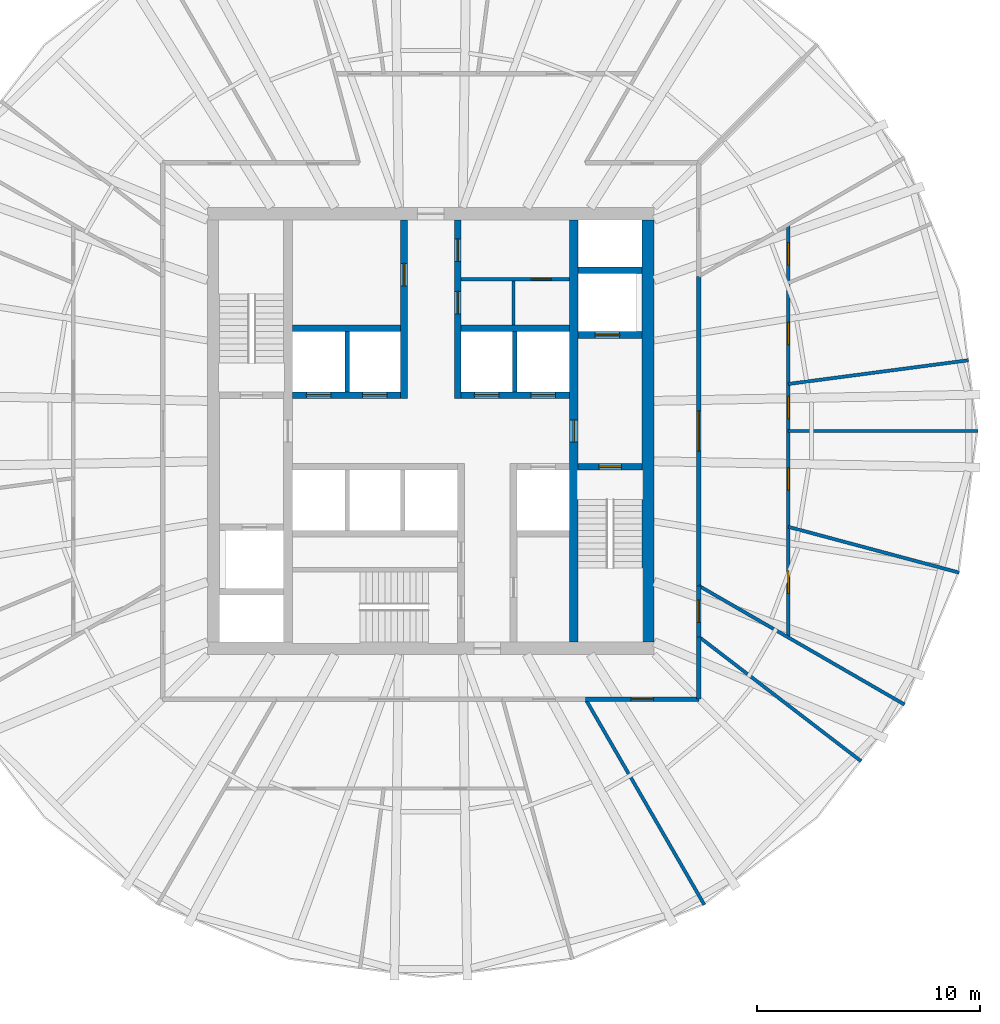
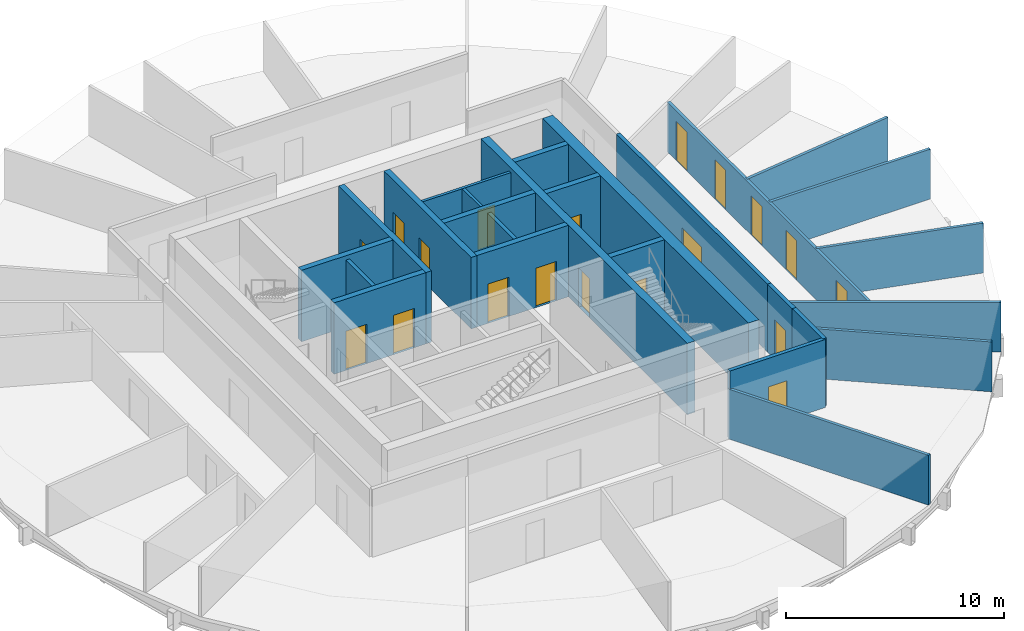
# One storey, part 4 of 6: 26 walls, 19 doors, 19 openings.
"""IFC4 building model written with IfcOpenShell, lengths in metres."""

from ifc_helpers import new_model, si_unit, direction, frame, frame_2d, origin, place, context, subcontext, project, spatial, rectangle, extrude, material, layer, layer_set, type_object, element, fill, save


model = new_model("IFC4")

# Units and contexts
model_context = context("Model", 3, precision=1e-05, world=origin(), true_north=direction((0.0, 1.0)))
body_context = subcontext(model_context, "Body", "Model", "MODEL_VIEW")
ifc_project = project(units=[si_unit("LENGTHUNIT", "METRE"), si_unit("AREAUNIT", "SQUARE_METRE"), si_unit("VOLUMEUNIT", "CUBIC_METRE"), si_unit("PLANEANGLEUNIT", "RADIAN"), si_unit("MASSUNIT", "GRAM", prefix="KILO")], contexts=[model_context])

# Site, building, storey
site_placement = place(None, origin())
site = spatial("IfcSite", under=ifc_project, at=site_placement, CompositionType="ELEMENT")
building_placement = place(site_placement, origin())
building = spatial("IfcBuilding", under=site, at=building_placement, Name="Golbaran Civic Tower", CompositionType="ELEMENT")
storey_placement = place(building_placement, frame((0.0, 0.0, 114.0)))
storey = spatial("IfcBuildingStorey", under=building, at=storey_placement, Name="L27", CompositionType="ELEMENT", Elevation=114.0)

# Wall, opening, door
ifc_material_1 = material(Name="Concrete block", Category="concrete")
ifc_layer_1 = layer(ifc_material_1, 0.14990234375, Name="Concrete block")
ifc_layer_set_1 = layer_set([ifc_layer_1], Name="Concrete block")
wall_type_1 = type_object("IfcWallType", Name="BLOCKWORK PARTITION 150", PredefinedType="PARTITIONING", material=ifc_layer_set_1)
wall_1_placement = place(storey_placement, frame((1.35009765625, 6.800048828125, 0.0), z_axis=(0.0, 0.0, 1.0), x_axis=(1.0, 0.0, 0.0)))
wall_1 = element("IfcWall", 1, at=wall_1_placement, inside=storey, type_object=wall_type_1, Name="Toilet block partition TN1 L27", PredefinedType="PARTITIONING", context=body_context, shape_type="SweptSolid", body=[
    extrude(rectangle(XDim=4.849853515625, YDim=0.14990234375, at=frame_2d((2.4248046875, 0.0))), origin(), (0.0, 0.0, 1.0), 3.75),
])
opening_1_placement = place(wall_1_placement, frame((3.14990234375, 0.0, 0.0)))
opening_1 = element("IfcOpeningElement", 2, at=opening_1_placement, cuts=wall_1, Name="Opening L27.CLN", PredefinedType="OPENING", context=body_context, shape_type="SweptSolid", body=[
    extrude(rectangle(XDim=0.89990234375, YDim=2.199951171875, at=frame_2d((0.449951171875, 1.10009765625))), frame((0.0, 0.0849609375, 0.0), z_axis=(0.0, -1.0, 0.0), x_axis=(1.0, 0.0, 0.0)), (0.0, 0.0, 1.0), 0.169921875),
])
ifc_material_2 = material(Name="Timber door set in steel frame", Category="steel")
door_type_1 = type_object("IfcDoorType", Name="RISER DOOR 900x2200", OperationType="SINGLE_SWING_LEFT", PredefinedType="DOOR", material=ifc_material_2)
door_1_placement = place(opening_1_placement, origin())
door_1 = element("IfcDoor", 3, at=door_1_placement, inside=storey, type_object=door_type_1, Name="Cleaner's Store door", OperationType="SINGLE_SWING_RIGHT", OverallHeight=2.199951171875, OverallWidth=0.89990234375, PredefinedType="DOOR", context=body_context, shape_type="SweptSolid", body=[
    extrude(rectangle(XDim=0.89990234375, YDim=2.199951171875, at=frame_2d((0.449951171875, 1.10009765625))), frame((0.0, 0.02490234375, 0.0), z_axis=(0.0, -1.0, 0.0), x_axis=(1.0, 0.0, 0.0)), (0.0, 0.0, 1.0), 0.050048828125),
])
fill(opening_1, door_1)

# Wall
wall_2_placement = place(storey_placement, frame((3.699951171875, 4.75, 0.0), z_axis=(0.0, 0.0, 1.0), x_axis=(0.0, 1.0, 0.0)))
element("IfcWall", 4, at=wall_2_placement, inside=storey, type_object=wall_type_1, Name="Toilet block partition TN2 L27", PredefinedType="PARTITIONING", context=body_context, shape_type="SweptSolid", body=[
    extrude(rectangle(XDim=1.97509765625, YDim=0.14990234375, at=frame_2d((0.987548828125, 0.0))), origin(), (0.0, 0.0, 1.0), 3.75),
])

# Wall, opening, door
ifc_material_3 = material(Name="Concrete C50/60", Category="concrete")
ifc_layer_2 = layer(ifc_material_3, 0.39990234375, Name="Concrete C50/60")
ifc_layer_set_2 = layer_set([ifc_layer_2], Name="Concrete C50/60")
wall_type_2 = type_object("IfcWallType", Name="CORE WALL CONCRETE 400", PredefinedType="SOLIDWALL", material=ifc_layer_set_2)
wall_3_placement = place(storey_placement, frame((6.39990234375, 9.449951171875, 0.0), z_axis=(0.0, 0.0, 1.0), x_axis=(0.0, -1.0, 0.0)))
wall_3 = element("IfcWall", 5, at=wall_3_placement, inside=storey, type_object=wall_type_2, Name="Core wall IE L27", PredefinedType="SOLIDWALL", context=body_context, shape_type="SweptSolid", body=[
    extrude(rectangle(XDim=18.89990234375, YDim=0.39990234375, at=frame_2d((9.449951171875, 0.0))), origin(), (0.0, 0.0, 1.0), 4.0),
])
opening_2_placement = place(wall_3_placement, frame((8.949951171875, 0.0, 0.0)))
opening_2 = element("IfcOpeningElement", 6, at=opening_2_placement, cuts=wall_3, Name="Opening L27.FL2", PredefinedType="OPENING", context=body_context, shape_type="SweptSolid", body=[
    extrude(rectangle(XDim=1.0, YDim=2.199951171875, at=frame_2d((0.5, 1.10009765625))), frame((0.0, 0.2099609375, 0.0), z_axis=(0.0, -1.0, 0.0), x_axis=(1.0, 0.0, 0.0)), (0.0, 0.0, 1.0), 0.419921875),
])
door_type_2 = type_object("IfcDoorType", Name="STAIR DOOR 1000x2200", OperationType="SINGLE_SWING_LEFT", PredefinedType="DOOR", material=ifc_material_2)
door_2_placement = place(opening_2_placement, origin())
door_2 = element("IfcDoor", 7, at=door_2_placement, inside=storey, type_object=door_type_2, Name="Fire-fighting lobby FL2 door", OperationType="SINGLE_SWING_RIGHT", OverallHeight=2.199951171875, OverallWidth=1.0, PredefinedType="DOOR", context=body_context, shape_type="SweptSolid", body=[
    extrude(rectangle(XDim=1.0, YDim=2.199951171875, at=frame_2d((0.5, 1.10009765625))), frame((0.0, 0.02490234375, 0.0), z_axis=(0.0, -1.0, 0.0), x_axis=(1.0, 0.0, 0.0)), (0.0, 0.0, 1.0), 0.050048828125),
])
fill(opening_2, door_2)

# Wall
ifc_layer_3 = layer(ifc_material_3, 0.550048828125, Name="Concrete C50/60")
ifc_layer_set_3 = layer_set([ifc_layer_3], Name="Concrete C50/60")
wall_type_3 = type_object("IfcWallType", Name="CORE WALL CONCRETE 550", PredefinedType="SOLIDWALL", material=ifc_layer_set_3)
wall_4_placement = place(storey_placement, frame((9.72509765625, -9.449951171875, 0.0), z_axis=(0.0, 0.0, 1.0), x_axis=(0.0, 1.0, 0.0)))
element("IfcWall", 8, at=wall_4_placement, inside=storey, type_object=wall_type_3, Name="Core wall CE L27", PredefinedType="SOLIDWALL", context=body_context, shape_type="SweptSolid", body=[
    extrude(rectangle(XDim=18.89990234375, YDim=0.550048828125, at=frame_2d((9.449951171875, 0.0))), origin(), (0.0, 0.0, 1.0), 4.0),
])

# Wall, opening, door
ifc_material_4 = material(Name="Gypsum board on steel studs, fire-rated", Category="steel")
ifc_layer_4 = layer(ifc_material_4, 0.199951171875, Name="Gypsum board on steel studs, fire-rated")
ifc_layer_set_4 = layer_set([ifc_layer_4], Name="Gypsum board on steel studs, fire-rated")
wall_type_4 = type_object("IfcWallType", Name="CORRIDOR WALL 200", PredefinedType="PARTITIONING", material=ifc_layer_set_4)
wall_5_placement = place(storey_placement, frame((12.0, -6.92822265625, 0.0), z_axis=(0.0, 0.0, 1.0), x_axis=(0.0, 1.0, 0.0)))
wall_5 = element("IfcWall", 9, at=wall_5_placement, inside=storey, type_object=wall_type_4, Name="Corridor wall L27", PredefinedType="PARTITIONING", context=body_context, shape_type="SweptSolid", body=[
    extrude(rectangle(XDim=13.8564453125, YDim=0.199951171875, at=frame_2d((6.92822265625, 0.0))), origin(), (0.0, 0.0, 1.0), 3.800048828125),
])
opening_3_placement = place(wall_5_placement, frame((6.0283203125, 0.0, 0.0)))
opening_3 = element("IfcOpeningElement", 10, at=opening_3_placement, cuts=wall_5, Name="Opening L27.15", PredefinedType="OPENING", context=body_context, shape_type="SweptSolid", body=[
    extrude(rectangle(XDim=1.800048828125, YDim=2.199951171875, at=frame_2d((0.89990234375, 1.10009765625))), frame((0.0, 0.10986328125, 0.0), z_axis=(0.0, -1.0, 0.0), x_axis=(1.0, 0.0, 0.0)), (0.0, 0.0, 1.0), 0.219970703125),
])
door_type_3 = type_object("IfcDoorType", Name="OFFICE DOUBLE DOOR 1800x2200", OperationType="DOUBLE_DOOR_SINGLE_SWING", PredefinedType="DOOR", material=ifc_material_2)
door_3_placement = place(opening_3_placement, origin())
door_3 = element("IfcDoor", 11, at=door_3_placement, inside=storey, type_object=door_type_3, Name="Secretariat door L27", OperationType="DOUBLE_DOOR_SINGLE_SWING", OverallHeight=2.199951171875, OverallWidth=1.800048828125, PredefinedType="DOOR", context=body_context, shape_type="SweptSolid", body=[
    extrude(rectangle(XDim=1.800048828125, YDim=2.199951171875, at=frame_2d((0.89990234375, 1.10009765625))), frame((0.0, 0.02490234375, 0.0), z_axis=(0.0, -1.0, 0.0), x_axis=(1.0, 0.0, 0.0)), (0.0, 0.0, 1.0), 0.050048828125),
])
fill(opening_3, door_3)

wall_6_placement = place(storey_placement, frame((6.92822265625, -12.0, 0.0), z_axis=(0.0, 0.0, 1.0), x_axis=(1.0, 0.0, 0.0)))
wall_6 = element("IfcWall", 12, at=wall_6_placement, inside=storey, type_object=wall_type_4, Name="Corridor wall L27", PredefinedType="PARTITIONING", context=body_context, shape_type="SweptSolid", body=[
    extrude(rectangle(XDim=5.07177734375, YDim=0.199951171875, at=frame_2d((2.535888671875, 0.0))), origin(), (0.0, 0.0, 1.0), 3.800048828125),
])
opening_4_placement = place(wall_6_placement, frame((2.035888671875, 0.0, 0.0)))
opening_4 = element("IfcOpeningElement", 13, at=opening_4_placement, cuts=wall_6, Name="Opening L27.25", PredefinedType="OPENING", context=body_context, shape_type="SweptSolid", body=[
    extrude(rectangle(XDim=1.0, YDim=2.199951171875, at=frame_2d((0.5, 1.10009765625))), frame((0.0, 0.10986328125, 0.0), z_axis=(0.0, -1.0, 0.0), x_axis=(1.0, 0.0, 0.0)), (0.0, 0.0, 1.0), 0.219970703125),
])
door_type_4 = type_object("IfcDoorType", Name="OFFICE DOOR 1000x2200", OperationType="SINGLE_SWING_LEFT", PredefinedType="DOOR", material=ifc_material_2)
door_4_placement = place(opening_4_placement, origin())
door_4 = element("IfcDoor", 14, at=door_4_placement, inside=storey, type_object=door_type_4, Name="Meeting Room door L27", OperationType="SINGLE_SWING_LEFT", OverallHeight=2.199951171875, OverallWidth=1.0, PredefinedType="DOOR", context=body_context, shape_type="SweptSolid", body=[
    extrude(rectangle(XDim=1.0, YDim=2.199951171875, at=frame_2d((0.5, 1.10009765625))), frame((0.0, 0.02490234375, 0.0), z_axis=(0.0, -1.0, 0.0), x_axis=(1.0, 0.0, 0.0)), (0.0, 0.0, 1.0), 0.050048828125),
])
fill(opening_4, door_4)

# Wall
wall_7_placement = place(storey_placement, frame((12.0, -12.0, 0.0), z_axis=(0.0, 0.0, 1.0), x_axis=(0.0, 1.0, 0.0)))
element("IfcWall", 15, at=wall_7_placement, inside=storey, type_object=wall_type_4, Name="Corridor wall L27", PredefinedType="PARTITIONING", context=body_context, shape_type="SweptSolid", body=[
    extrude(rectangle(XDim=2.7919921875, YDim=0.199951171875, at=frame_2d((1.39599609375, 0.0))), origin(), (0.0, 0.0, 1.0), 3.800048828125),
])

# Wall, opening, door
wall_8_placement = place(storey_placement, frame((12.0, -9.2080078125, 0.0), z_axis=(0.0, 0.0, 1.0), x_axis=(0.0, 1.0, 0.0)))
wall_8 = element("IfcWall", 16, at=wall_8_placement, inside=storey, type_object=wall_type_4, Name="Corridor wall L27", PredefinedType="PARTITIONING", context=body_context, shape_type="SweptSolid", body=[
    extrude(rectangle(XDim=2.27978515625, YDim=0.199951171875, at=frame_2d((1.139892578125, 0.0))), origin(), (0.0, 0.0, 1.0), 3.800048828125),
])
opening_5_placement = place(wall_8_placement, frame((0.639892578125, 0.0, 0.0)))
opening_5 = element("IfcOpeningElement", 17, at=opening_5_placement, cuts=wall_8, Name="Opening L27.26", PredefinedType="OPENING", context=body_context, shape_type="SweptSolid", body=[
    extrude(rectangle(XDim=1.0, YDim=2.199951171875, at=frame_2d((0.5, 1.10009765625))), frame((0.0, 0.10986328125, 0.0), z_axis=(0.0, -1.0, 0.0), x_axis=(1.0, 0.0, 0.0)), (0.0, 0.0, 1.0), 0.219970703125),
])
door_5_placement = place(opening_5_placement, origin())
door_5 = element("IfcDoor", 18, at=door_5_placement, inside=storey, type_object=door_type_4, Name="Print and Copy Room door L27", OperationType="SINGLE_SWING_LEFT", OverallHeight=2.199951171875, OverallWidth=1.0, PredefinedType="DOOR", context=body_context, shape_type="SweptSolid", body=[
    extrude(rectangle(XDim=1.0, YDim=2.199951171875, at=frame_2d((0.5, 1.10009765625))), frame((0.0, 0.02490234375, 0.0), z_axis=(0.0, -1.0, 0.0), x_axis=(1.0, 0.0, 0.0)), (0.0, 0.0, 1.0), 0.050048828125),
])
fill(opening_5, door_5)

# Walls
ifc_layer_5 = layer(ifc_material_1, 0.199951171875, Name="Concrete block")
ifc_layer_set_5 = layer_set([ifc_layer_5], Name="Concrete block")
wall_type_5 = type_object("IfcWallType", Name="LIFT SEPARATOR WALL 200", PredefinedType="SOLIDWALL", material=ifc_layer_set_5)
for number, where, z_axis, x_axis, name in (
    (19, (-3.75, 1.75, 0.0), (0.0, 0.0, 1.0), (0.0, 1.0, 0.0), "Core partition SNW L27"),
    (20, (3.75, 1.75, 0.0), (0.0, 0.0, 1.0), (0.0, 1.0, 0.0), "Core partition SNE L27"),
):
    element("IfcWall", number, at=place(storey_placement, frame(where, z_axis=z_axis, x_axis=x_axis)), inside=storey, type_object=wall_type_5, Name=name, PredefinedType="SOLIDWALL", context=body_context, shape_type="SweptSolid", body=[
        extrude(rectangle(XDim=2.699951171875, YDim=0.199951171875, at=frame_2d((1.35009765625, 0.0))), origin(), (0.0, 0.0, 1.0), 3.75),
    ])
ifc_material_5 = material(Name="Gypsum board on steel studs", Category="steel")
ifc_layer_6 = layer(ifc_material_5, 0.14990234375, Name="Gypsum board on steel studs")
ifc_layer_set_6 = layer_set([ifc_layer_6], Name="Gypsum board on steel studs")
wall_type_6 = type_object("IfcWallType", Name="OFFICE PARTITION 150", PredefinedType="PARTITIONING", material=ifc_layer_set_6)
for number, where, z_axis, x_axis, name in (
    (21, (12.0, -6.92822265625, 0.0), (0.0, 0.0, 1.0), (0.866024197053, -0.500002090115, 0.0), "Partition 330 L27"),
    (22, (6.92822265625, -12.0, 0.0), (0.0, 0.0, 1.0), (0.500002090115, -0.866024197053, 0.0), "Partition 300 L27"),
):
    element("IfcWall", number, at=place(storey_placement, frame(where, z_axis=z_axis, x_axis=x_axis)), inside=storey, type_object=wall_type_6, Name=name, PredefinedType="PARTITIONING", context=body_context, shape_type="SweptSolid", body=[
        extrude(rectangle(XDim=10.630859375, YDim=0.14990234375, at=frame_2d((5.3154296875, 0.0))), origin(), (0.0, 0.0, 1.0), 2.7900390625),
    ])
wall_9_placement = place(storey_placement, frame((12.0, -9.2080078125, 0.0), z_axis=(0.0, 0.0, 1.0), x_axis=(0.793357264949, -0.608756314261, 0.0)))
element("IfcWall", 23, at=wall_9_placement, inside=storey, type_object=wall_type_6, Name="Partition 322.5 L27", PredefinedType="PARTITIONING", context=body_context, shape_type="SweptSolid", body=[
    extrude(rectangle(XDim=9.15185546875, YDim=0.14990234375, at=frame_2d((4.575927734375, 0.0))), origin(), (0.0, 0.0, 1.0), 2.7900390625),
])

# Wall, openings, doors
wall_10_placement = place(storey_placement, frame((16.0, -9.237548828125, 0.0), z_axis=(0.0, 0.0, 1.0), x_axis=(0.0, 1.0, 0.0)))
wall_10 = element("IfcWall", 24, at=wall_10_placement, inside=storey, type_object=wall_type_6, Name="Suite partition L27", PredefinedType="PARTITIONING", context=body_context, shape_type="SweptSolid", body=[
    extrude(rectangle(XDim=18.47509765625, YDim=0.14990234375, at=frame_2d((9.237548828125, 0.0))), origin(), (0.0, 0.0, 1.0), 2.7900390625),
])
opening_6_placement = place(wall_10_placement, frame((1.97509765625, 0.0, 0.0)))
opening_6 = element("IfcOpeningElement", 25, at=opening_6_placement, cuts=wall_10, Name="Opening L27.01", PredefinedType="OPENING", context=body_context, shape_type="SweptSolid", body=[
    extrude(rectangle(XDim=1.0, YDim=2.199951171875, at=frame_2d((0.5, 1.10009765625))), frame((0.0, 0.0849609375, 0.0), z_axis=(0.0, -1.0, 0.0), x_axis=(1.0, 0.0, 0.0)), (0.0, 0.0, 1.0), 0.169921875),
])
opening_7_placement = place(wall_10_placement, frame((6.593994140625, 0.0, 0.0)))
opening_7 = element("IfcOpeningElement", 26, at=opening_7_placement, cuts=wall_10, Name="Opening L27.02", PredefinedType="OPENING", context=body_context, shape_type="SweptSolid", body=[
    extrude(rectangle(XDim=1.0, YDim=2.199951171875, at=frame_2d((0.5, 1.10009765625))), frame((0.0, 0.0849609375, 0.0), z_axis=(0.0, -1.0, 0.0), x_axis=(1.0, 0.0, 0.0)), (0.0, 0.0, 1.0), 0.169921875),
])
opening_8_placement = place(wall_10_placement, frame((9.790771484375, 0.0, 0.0)))
opening_8 = element("IfcOpeningElement", 27, at=opening_8_placement, cuts=wall_10, Name="Opening L27.03", PredefinedType="OPENING", context=body_context, shape_type="SweptSolid", body=[
    extrude(rectangle(XDim=1.0, YDim=2.199951171875, at=frame_2d((0.5, 1.10009765625))), frame((0.0, 0.0849609375, 0.0), z_axis=(0.0, -1.0, 0.0), x_axis=(1.0, 0.0, 0.0)), (0.0, 0.0, 1.0), 0.169921875),
])
opening_9_placement = place(wall_10_placement, frame((13.1044921875, 0.0, 0.0)))
opening_9 = element("IfcOpeningElement", 28, at=opening_9_placement, cuts=wall_10, Name="Opening L27.04", PredefinedType="OPENING", context=body_context, shape_type="SweptSolid", body=[
    extrude(rectangle(XDim=1.0, YDim=2.199951171875, at=frame_2d((0.5, 1.10009765625))), frame((0.0, 0.0849609375, 0.0), z_axis=(0.0, -1.0, 0.0), x_axis=(1.0, 0.0, 0.0)), (0.0, 0.0, 1.0), 0.169921875),
])
opening_10_placement = place(wall_10_placement, frame((16.670166015625, 0.0, 0.0)))
opening_10 = element("IfcOpeningElement", 29, at=opening_10_placement, cuts=wall_10, Name="Opening L27.05", PredefinedType="OPENING", context=body_context, shape_type="SweptSolid", body=[
    extrude(rectangle(XDim=1.0, YDim=2.199951171875, at=frame_2d((0.5, 1.10009765625))), frame((0.0, 0.0849609375, 0.0), z_axis=(0.0, -1.0, 0.0), x_axis=(1.0, 0.0, 0.0)), (0.0, 0.0, 1.0), 0.169921875),
])
door_6_placement = place(opening_6_placement, origin())
door_6 = element("IfcDoor", 30, at=door_6_placement, inside=storey, type_object=door_type_4, Name="Director's Office door L27", OperationType="SINGLE_SWING_LEFT", OverallHeight=2.199951171875, OverallWidth=1.0, PredefinedType="DOOR", context=body_context, shape_type="SweptSolid", body=[
    extrude(rectangle(XDim=1.0, YDim=2.199951171875, at=frame_2d((0.5, 1.10009765625))), frame((0.0, 0.02490234375, 0.0), z_axis=(0.0, -1.0, 0.0), x_axis=(1.0, 0.0, 0.0)), (0.0, 0.0, 1.0), 0.050048828125),
])
fill(opening_6, door_6)
door_7_placement = place(opening_7_placement, origin())
door_7 = element("IfcDoor", 31, at=door_7_placement, inside=storey, type_object=door_type_4, Name="Office door L27", OperationType="SINGLE_SWING_LEFT", OverallHeight=2.199951171875, OverallWidth=1.0, PredefinedType="DOOR", context=body_context, shape_type="SweptSolid", body=[
    extrude(rectangle(XDim=1.0, YDim=2.199951171875, at=frame_2d((0.5, 1.10009765625))), frame((0.0, 0.02490234375, 0.0), z_axis=(0.0, -1.0, 0.0), x_axis=(1.0, 0.0, 0.0)), (0.0, 0.0, 1.0), 0.050048828125),
])
fill(opening_7, door_7)
door_8_placement = place(opening_8_placement, origin())
door_8 = element("IfcDoor", 32, at=door_8_placement, inside=storey, type_object=door_type_4, Name="Director's Office door L27", OperationType="SINGLE_SWING_RIGHT", OverallHeight=2.199951171875, OverallWidth=1.0, PredefinedType="DOOR", context=body_context, shape_type="SweptSolid", body=[
    extrude(rectangle(XDim=1.0, YDim=2.199951171875, at=frame_2d((0.5, 1.10009765625))), frame((0.0, 0.02490234375, 0.0), z_axis=(0.0, -1.0, 0.0), x_axis=(1.0, 0.0, 0.0)), (0.0, 0.0, 1.0), 0.050048828125),
])
fill(opening_8, door_8)
door_9_placement = place(opening_9_placement, origin())
door_9 = element("IfcDoor", 33, at=door_9_placement, inside=storey, type_object=door_type_4, Name="Director's Office door L27", OperationType="SINGLE_SWING_RIGHT", OverallHeight=2.199951171875, OverallWidth=1.0, PredefinedType="DOOR", context=body_context, shape_type="SweptSolid", body=[
    extrude(rectangle(XDim=1.0, YDim=2.199951171875, at=frame_2d((0.5, 1.10009765625))), frame((0.0, 0.02490234375, 0.0), z_axis=(0.0, -1.0, 0.0), x_axis=(1.0, 0.0, 0.0)), (0.0, 0.0, 1.0), 0.050048828125),
])
fill(opening_9, door_9)
door_10_placement = place(opening_10_placement, origin())
door_10 = element("IfcDoor", 34, at=door_10_placement, inside=storey, type_object=door_type_4, Name="Office door L27", OperationType="SINGLE_SWING_RIGHT", OverallHeight=2.199951171875, OverallWidth=1.0, PredefinedType="DOOR", context=body_context, shape_type="SweptSolid", body=[
    extrude(rectangle(XDim=1.0, YDim=2.199951171875, at=frame_2d((0.5, 1.10009765625))), frame((0.0, 0.02490234375, 0.0), z_axis=(0.0, -1.0, 0.0), x_axis=(1.0, 0.0, 0.0)), (0.0, 0.0, 1.0), 0.050048828125),
])
fill(opening_10, door_10)

# Walls
wall_11_placement = place(storey_placement, frame((16.0, -4.287109375, 0.0), z_axis=(0.0, 0.0, 1.0), x_axis=(0.965926869261, -0.258815152648, 0.0)))
element("IfcWall", 35, at=wall_11_placement, inside=storey, type_object=wall_type_6, Name="Partition 345 L27", PredefinedType="PARTITIONING", context=body_context, shape_type="SweptSolid", body=[
    extrude(rectangle(XDim=7.9228515625, YDim=0.14990234375, at=frame_2d((3.96142578125, 0.0))), origin(), (0.0, 0.0, 1.0), 2.7900390625),
])
wall_12_placement = place(storey_placement, frame((16.0, 0.0, 0.0), z_axis=(0.0, 0.0, 1.0), x_axis=(1.0, 0.0, 0.0)))
element("IfcWall", 36, at=wall_12_placement, inside=storey, type_object=wall_type_6, Name="Partition 0 L27", PredefinedType="PARTITIONING", context=body_context, shape_type="SweptSolid", body=[
    extrude(rectangle(XDim=8.4873046875, YDim=0.14990234375, at=frame_2d((4.24365234375, 0.0))), origin(), (0.0, 0.0, 1.0), 2.7900390625),
])
wall_13_placement = place(storey_placement, frame((16.0, 2.1064453125, 0.0), z_axis=(0.0, 0.0, 1.0), x_axis=(0.99144398145, 0.13053287573, 0.0)))
element("IfcWall", 37, at=wall_13_placement, inside=storey, type_object=wall_type_6, Name="Partition 7.5 L27", PredefinedType="PARTITIONING", context=body_context, shape_type="SweptSolid", body=[
    extrude(rectangle(XDim=8.1396484375, YDim=0.14990234375, at=frame_2d((4.06982421875, 0.0))), origin(), (0.0, 0.0, 1.0), 2.7900390625),
])

# Wall, openings, doors
ifc_layer_7 = layer(ifc_material_3, 0.300048828125, Name="Concrete C50/60")
ifc_layer_set_7 = layer_set([ifc_layer_7], Name="Concrete C50/60")
wall_type_7 = type_object("IfcWallType", Name="SHAFT WALL CONCRETE 300", PredefinedType="SOLIDWALL", material=ifc_layer_set_7)
wall_14_placement = place(storey_placement, frame((-6.199951171875, 1.60009765625, 0.0), z_axis=(0.0, 0.0, 1.0), x_axis=(1.0, 0.0, 0.0)))
wall_14 = element("IfcWall", 38, at=wall_14_placement, inside=storey, type_object=wall_type_7, Name="Core wall FNW L27", PredefinedType="SOLIDWALL", context=body_context, shape_type="SweptSolid", body=[
    extrude(rectangle(XDim=4.849853515625, YDim=0.300048828125, at=frame_2d((2.4248046875, 0.0))), origin(), (0.0, 0.0, 1.0), 4.0),
])
opening_11_placement = place(wall_14_placement, frame((0.625, 0.0, 0.0)))
opening_11 = element("IfcOpeningElement", 39, at=opening_11_placement, cuts=wall_14, Name="Opening L27.LD-Z1M", PredefinedType="OPENING", context=body_context, shape_type="SweptSolid", body=[
    extrude(rectangle(XDim=1.10009765625, YDim=2.199951171875, at=frame_2d((0.550048828125, 1.10009765625))), frame((0.0, 0.159912109375, 0.0), z_axis=(0.0, -1.0, 0.0), x_axis=(1.0, 0.0, 0.0)), (0.0, 0.0, 1.0), 0.320068359375),
])
opening_12_placement = place(wall_14_placement, frame((3.14990234375, 0.0, 0.0)))
opening_12 = element("IfcOpeningElement", 40, at=opening_12_placement, cuts=wall_14, Name="Opening L27.LD-Z2M", PredefinedType="OPENING", context=body_context, shape_type="SweptSolid", body=[
    extrude(rectangle(XDim=1.10009765625, YDim=2.199951171875, at=frame_2d((0.550048828125, 1.10009765625))), frame((0.0, 0.159912109375, 0.0), z_axis=(0.0, -1.0, 0.0), x_axis=(1.0, 0.0, 0.0)), (0.0, 0.0, 1.0), 0.320068359375),
])
ifc_material_6 = material(Name="Stainless steel", Category="steel")
door_type_5 = type_object("IfcDoorType", Name="LIFT LANDING DOOR 1100x2200", OperationType="SLIDING_TO_LEFT", PredefinedType="DOOR", material=ifc_material_6)
door_11_placement = place(opening_11_placement, origin())
door_11 = element("IfcDoor", 41, at=door_11_placement, inside=storey, type_object=door_type_5, Name="Lift landing door Z1M", OperationType="SLIDING_TO_LEFT", OverallHeight=2.199951171875, OverallWidth=1.10009765625, PredefinedType="DOOR", context=body_context, shape_type="SweptSolid", body=[
    extrude(rectangle(XDim=1.10009765625, YDim=2.199951171875, at=frame_2d((0.550048828125, 1.10009765625))), frame((0.0, 0.02490234375, 0.0), z_axis=(0.0, -1.0, 0.0), x_axis=(1.0, 0.0, 0.0)), (0.0, 0.0, 1.0), 0.050048828125),
])
fill(opening_11, door_11)
door_12_placement = place(opening_12_placement, origin())
door_12 = element("IfcDoor", 42, at=door_12_placement, inside=storey, type_object=door_type_5, Name="Lift landing door Z2M", OperationType="SLIDING_TO_LEFT", OverallHeight=2.199951171875, OverallWidth=1.10009765625, PredefinedType="DOOR", context=body_context, shape_type="SweptSolid", body=[
    extrude(rectangle(XDim=1.10009765625, YDim=2.199951171875, at=frame_2d((0.550048828125, 1.10009765625))), frame((0.0, 0.02490234375, 0.0), z_axis=(0.0, -1.0, 0.0), x_axis=(1.0, 0.0, 0.0)), (0.0, 0.0, 1.0), 0.050048828125),
])
fill(opening_12, door_12)

wall_15_placement = place(storey_placement, frame((1.35009765625, 1.60009765625, 0.0), z_axis=(0.0, 0.0, 1.0), x_axis=(1.0, 0.0, 0.0)))
wall_15 = element("IfcWall", 43, at=wall_15_placement, inside=storey, type_object=wall_type_7, Name="Core wall FNE L27", PredefinedType="SOLIDWALL", context=body_context, shape_type="SweptSolid", body=[
    extrude(rectangle(XDim=4.849853515625, YDim=0.300048828125, at=frame_2d((2.4248046875, 0.0))), origin(), (0.0, 0.0, 1.0), 4.0),
])
opening_13_placement = place(wall_15_placement, frame((0.60009765625, 0.0, 0.0)))
opening_13 = element("IfcOpeningElement", 44, at=opening_13_placement, cuts=wall_15, Name="Opening L27.LD-Z3M", PredefinedType="OPENING", context=body_context, shape_type="SweptSolid", body=[
    extrude(rectangle(XDim=1.10009765625, YDim=2.199951171875, at=frame_2d((0.550048828125, 1.10009765625))), frame((0.0, 0.159912109375, 0.0), z_axis=(0.0, -1.0, 0.0), x_axis=(1.0, 0.0, 0.0)), (0.0, 0.0, 1.0), 0.320068359375),
])
opening_14_placement = place(wall_15_placement, frame((3.125, 0.0, 0.0)))
opening_14 = element("IfcOpeningElement", 45, at=opening_14_placement, cuts=wall_15, Name="Opening L27.LD-Z4M", PredefinedType="OPENING", context=body_context, shape_type="SweptSolid", body=[
    extrude(rectangle(XDim=1.10009765625, YDim=2.199951171875, at=frame_2d((0.550048828125, 1.10009765625))), frame((0.0, 0.159912109375, 0.0), z_axis=(0.0, -1.0, 0.0), x_axis=(1.0, 0.0, 0.0)), (0.0, 0.0, 1.0), 0.320068359375),
])
door_13_placement = place(opening_13_placement, origin())
door_13 = element("IfcDoor", 46, at=door_13_placement, inside=storey, type_object=door_type_5, Name="Lift landing door Z3M", OperationType="SLIDING_TO_LEFT", OverallHeight=2.199951171875, OverallWidth=1.10009765625, PredefinedType="DOOR", context=body_context, shape_type="SweptSolid", body=[
    extrude(rectangle(XDim=1.10009765625, YDim=2.199951171875, at=frame_2d((0.550048828125, 1.10009765625))), frame((0.0, 0.02490234375, 0.0), z_axis=(0.0, -1.0, 0.0), x_axis=(1.0, 0.0, 0.0)), (0.0, 0.0, 1.0), 0.050048828125),
])
fill(opening_13, door_13)
door_14_placement = place(opening_14_placement, origin())
door_14 = element("IfcDoor", 47, at=door_14_placement, inside=storey, type_object=door_type_5, Name="Lift landing door Z4M", OperationType="SLIDING_TO_LEFT", OverallHeight=2.199951171875, OverallWidth=1.10009765625, PredefinedType="DOOR", context=body_context, shape_type="SweptSolid", body=[
    extrude(rectangle(XDim=1.10009765625, YDim=2.199951171875, at=frame_2d((0.550048828125, 1.10009765625))), frame((0.0, 0.02490234375, 0.0), z_axis=(0.0, -1.0, 0.0), x_axis=(1.0, 0.0, 0.0)), (0.0, 0.0, 1.0), 0.050048828125),
])
fill(opening_14, door_14)

# Walls
for number, where, z_axis, x_axis, name in (
    (48, (-6.199951171875, 4.60009765625, 0.0), (0.0, 0.0, 1.0), (1.0, 0.0, 0.0), "Core wall BNW L27"),
    (49, (1.35009765625, 4.60009765625, 0.0), (0.0, 0.0, 1.0), (1.0, 0.0, 0.0), "Core wall BNE L27"),
):
    element("IfcWall", number, at=place(storey_placement, frame(where, z_axis=z_axis, x_axis=x_axis)), inside=storey, type_object=wall_type_7, Name=name, PredefinedType="SOLIDWALL", context=body_context, shape_type="SweptSolid", body=[
        extrude(rectangle(XDim=4.849853515625, YDim=0.300048828125, at=frame_2d((2.4248046875, 0.0))), origin(), (0.0, 0.0, 1.0), 4.0),
    ])

# Wall, opening, door
wall_16_placement = place(storey_placement, frame((-1.199951171875, 1.449951171875, 0.0), z_axis=(0.0, 0.0, 1.0), x_axis=(0.0, 1.0, 0.0)))
wall_16 = element("IfcWall", 50, at=wall_16_placement, inside=storey, type_object=wall_type_7, Name="Core wall PNW L27", PredefinedType="SOLIDWALL", context=body_context, shape_type="SweptSolid", body=[
    extrude(rectangle(XDim=8.0, YDim=0.300048828125, at=frame_2d((4.0, 0.0))), origin(), (0.0, 0.0, 1.0), 4.0),
])
opening_15_placement = place(wall_16_placement, frame((5.050048828125, 0.0, 0.0)))
opening_15 = element("IfcOpeningElement", 51, at=opening_15_placement, cuts=wall_16, Name="Opening L27.WCM", PredefinedType="OPENING", context=body_context, shape_type="SweptSolid", body=[
    extrude(rectangle(XDim=1.0, YDim=2.199951171875, at=frame_2d((0.5, 1.10009765625))), frame((0.0, 0.159912109375, 0.0), z_axis=(0.0, -1.0, 0.0), x_axis=(1.0, 0.0, 0.0)), (0.0, 0.0, 1.0), 0.320068359375),
])
door_type_6 = type_object("IfcDoorType", Name="TOILET DOOR 1000x2200", OperationType="SINGLE_SWING_LEFT", PredefinedType="DOOR", material=ifc_material_2)
door_15_placement = place(opening_15_placement, origin())
door_15 = element("IfcDoor", 52, at=door_15_placement, inside=storey, type_object=door_type_6, Name="North-west toilet block door", OperationType="SINGLE_SWING_RIGHT", OverallHeight=2.199951171875, OverallWidth=1.0, PredefinedType="DOOR", context=body_context, shape_type="SweptSolid", body=[
    extrude(rectangle(XDim=1.0, YDim=2.199951171875, at=frame_2d((0.5, 1.10009765625))), frame((0.0, 0.02490234375, 0.0), z_axis=(0.0, -1.0, 0.0), x_axis=(1.0, 0.0, 0.0)), (0.0, 0.0, 1.0), 0.050048828125),
])
fill(opening_15, door_15)

# Wall, openings, doors
wall_17_placement = place(storey_placement, frame((1.199951171875, 1.449951171875, 0.0), z_axis=(0.0, 0.0, 1.0), x_axis=(0.0, 1.0, 0.0)))
wall_17 = element("IfcWall", 53, at=wall_17_placement, inside=storey, type_object=wall_type_7, Name="Core wall PNE L27", PredefinedType="SOLIDWALL", context=body_context, shape_type="SweptSolid", body=[
    extrude(rectangle(XDim=8.0, YDim=0.300048828125, at=frame_2d((4.0, 0.0))), origin(), (0.0, 0.0, 1.0), 4.0),
])
opening_16_placement = place(wall_17_placement, frame((3.800048828125, 0.0, 0.0)))
opening_16 = element("IfcOpeningElement", 54, at=opening_16_placement, cuts=wall_17, Name="Opening L27.WCA", PredefinedType="OPENING", context=body_context, shape_type="SweptSolid", body=[
    extrude(rectangle(XDim=1.0, YDim=2.199951171875, at=frame_2d((0.5, 1.10009765625))), frame((0.0, 0.159912109375, 0.0), z_axis=(0.0, -1.0, 0.0), x_axis=(1.0, 0.0, 0.0)), (0.0, 0.0, 1.0), 0.320068359375),
])
opening_17_placement = place(wall_17_placement, frame((6.14990234375, 0.0, 0.0)))
opening_17 = element("IfcOpeningElement", 55, at=opening_17_placement, cuts=wall_17, Name="Opening L27.WCF", PredefinedType="OPENING", context=body_context, shape_type="SweptSolid", body=[
    extrude(rectangle(XDim=1.0, YDim=2.199951171875, at=frame_2d((0.5, 1.10009765625))), frame((0.0, 0.159912109375, 0.0), z_axis=(0.0, -1.0, 0.0), x_axis=(1.0, 0.0, 0.0)), (0.0, 0.0, 1.0), 0.320068359375),
])
door_16_placement = place(opening_16_placement, origin())
door_16 = element("IfcDoor", 56, at=door_16_placement, inside=storey, type_object=door_type_6, Name="Accessible WC door", OperationType="SINGLE_SWING_RIGHT", OverallHeight=2.199951171875, OverallWidth=1.0, PredefinedType="DOOR", context=body_context, shape_type="SweptSolid", body=[
    extrude(rectangle(XDim=1.0, YDim=2.199951171875, at=frame_2d((0.5, 1.10009765625))), frame((0.0, 0.02490234375, 0.0), z_axis=(0.0, -1.0, 0.0), x_axis=(1.0, 0.0, 0.0)), (0.0, 0.0, 1.0), 0.050048828125),
])
fill(opening_16, door_16)
door_17_placement = place(opening_17_placement, origin())
door_17 = element("IfcDoor", 57, at=door_17_placement, inside=storey, type_object=door_type_6, Name="North-east toilet block door", OperationType="SINGLE_SWING_RIGHT", OverallHeight=2.199951171875, OverallWidth=1.0, PredefinedType="DOOR", context=body_context, shape_type="SweptSolid", body=[
    extrude(rectangle(XDim=1.0, YDim=2.199951171875, at=frame_2d((0.5, 1.10009765625))), frame((0.0, 0.02490234375, 0.0), z_axis=(0.0, -1.0, 0.0), x_axis=(1.0, 0.0, 0.0)), (0.0, 0.0, 1.0), 0.050048828125),
])
fill(opening_17, door_17)

# Wall, opening, door
wall_18_placement = place(storey_placement, frame((6.60009765625, -1.60009765625, 0.0), z_axis=(0.0, 0.0, 1.0), x_axis=(1.0, 0.0, 0.0)))
wall_18 = element("IfcWall", 58, at=wall_18_placement, inside=storey, type_object=wall_type_7, Name="Core wall XE1 L27", PredefinedType="SOLIDWALL", context=body_context, shape_type="SweptSolid", body=[
    extrude(rectangle(XDim=2.849853515625, YDim=0.300048828125, at=frame_2d((1.4248046875, 0.0))), origin(), (0.0, 0.0, 1.0), 4.0),
])
opening_18_placement = place(wall_18_placement, frame((0.925048828125, 0.0, 0.0)))
opening_18 = element("IfcOpeningElement", 59, at=opening_18_placement, cuts=wall_18, Name="Opening L27.S2", PredefinedType="OPENING", context=body_context, shape_type="SweptSolid", body=[
    extrude(rectangle(XDim=1.0, YDim=2.199951171875, at=frame_2d((0.5, 1.10009765625))), frame((0.0, 0.159912109375, 0.0), z_axis=(0.0, -1.0, 0.0), x_axis=(1.0, 0.0, 0.0)), (0.0, 0.0, 1.0), 0.320068359375),
])
door_18_placement = place(opening_18_placement, origin())
door_18 = element("IfcDoor", 60, at=door_18_placement, inside=storey, type_object=door_type_2, Name="Stair S2 door", OperationType="SINGLE_SWING_LEFT", OverallHeight=2.199951171875, OverallWidth=1.0, PredefinedType="DOOR", context=body_context, shape_type="SweptSolid", body=[
    extrude(rectangle(XDim=1.0, YDim=2.199951171875, at=frame_2d((0.5, 1.10009765625))), frame((0.0, 0.02490234375, 0.0), z_axis=(0.0, -1.0, 0.0), x_axis=(1.0, 0.0, 0.0)), (0.0, 0.0, 1.0), 0.050048828125),
])
fill(opening_18, door_18)

wall_19_placement = place(storey_placement, frame((6.60009765625, 4.300048828125, 0.0), z_axis=(0.0, 0.0, 1.0), x_axis=(1.0, 0.0, 0.0)))
wall_19 = element("IfcWall", 61, at=wall_19_placement, inside=storey, type_object=wall_type_7, Name="Core wall XE2 L27", PredefinedType="SOLIDWALL", context=body_context, shape_type="SweptSolid", body=[
    extrude(rectangle(XDim=2.849853515625, YDim=0.300048828125, at=frame_2d((1.4248046875, 0.0))), origin(), (0.0, 0.0, 1.0), 4.0),
])
opening_19_placement = place(wall_19_placement, frame((0.75, 0.0, 0.0)))
opening_19 = element("IfcOpeningElement", 62, at=opening_19_placement, cuts=wall_19, Name="Opening L27.LD-F2", PredefinedType="OPENING", context=body_context, shape_type="SweptSolid", body=[
    extrude(rectangle(XDim=1.10009765625, YDim=2.199951171875, at=frame_2d((0.550048828125, 1.10009765625))), frame((0.0, 0.159912109375, 0.0), z_axis=(0.0, -1.0, 0.0), x_axis=(1.0, 0.0, 0.0)), (0.0, 0.0, 1.0), 0.320068359375),
])
door_19_placement = place(opening_19_placement, origin())
door_19 = element("IfcDoor", 63, at=door_19_placement, inside=storey, type_object=door_type_5, Name="Lift landing door F2", OperationType="SLIDING_TO_LEFT", OverallHeight=2.199951171875, OverallWidth=1.10009765625, PredefinedType="DOOR", context=body_context, shape_type="SweptSolid", body=[
    extrude(rectangle(XDim=1.10009765625, YDim=2.199951171875, at=frame_2d((0.550048828125, 1.10009765625))), frame((0.0, 0.02490234375, 0.0), z_axis=(0.0, -1.0, 0.0), x_axis=(1.0, 0.0, 0.0)), (0.0, 0.0, 1.0), 0.050048828125),
])
fill(opening_19, door_19)

# Wall
wall_20_placement = place(storey_placement, frame((6.60009765625, 7.199951171875, 0.0), z_axis=(0.0, 0.0, 1.0), x_axis=(1.0, 0.0, 0.0)))
element("IfcWall", 64, at=wall_20_placement, inside=storey, type_object=wall_type_7, Name="Core wall XE3 L27", PredefinedType="SOLIDWALL", context=body_context, shape_type="SweptSolid", body=[
    extrude(rectangle(XDim=2.849853515625, YDim=0.300048828125, at=frame_2d((1.4248046875, 0.0))), origin(), (0.0, 0.0, 1.0), 4.0),
])

save(model, "model.ifc")
